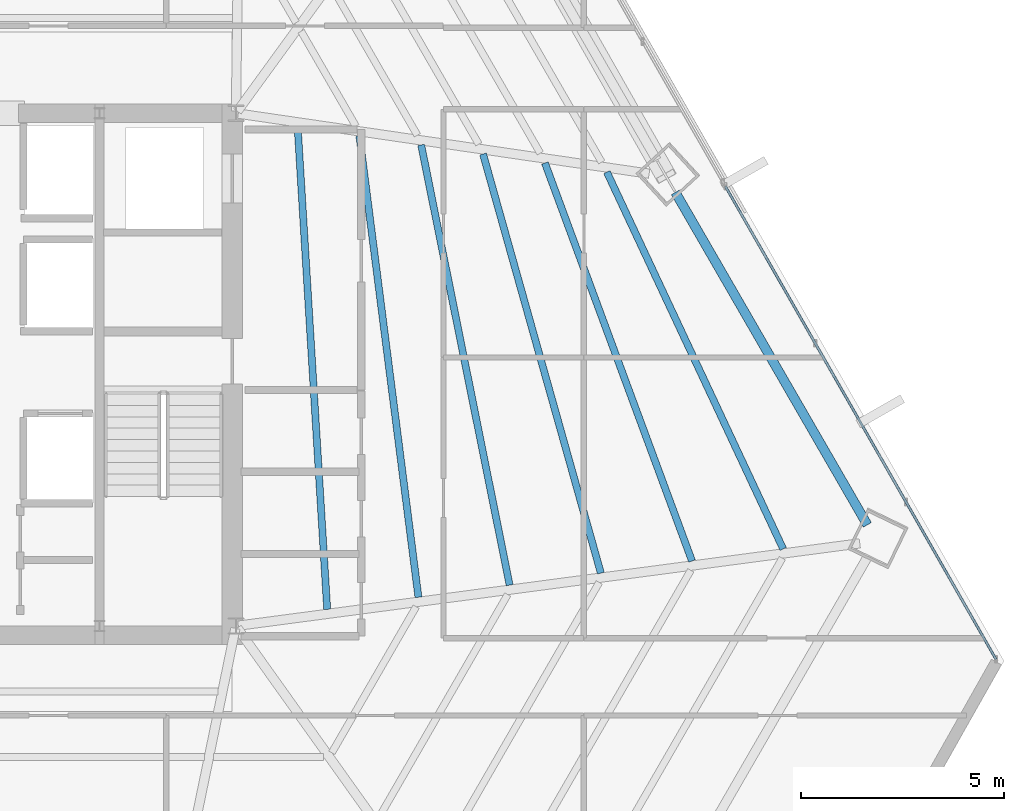
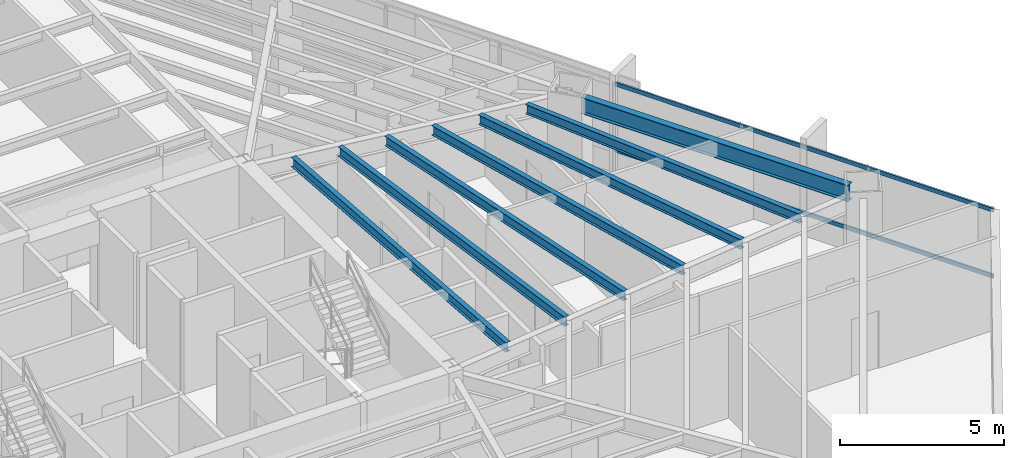
# One storey, part 20 of 35: 7 beams, 2 members, 1 element without a shape of its own.
"""IFC4 building model written with IfcOpenShell, lengths in metres."""

from ifc_helpers import new_model, si_unit, direction, frame, origin, origin_2d, place, context, subcontext, project, spatial, hollow_rectangle, i_section, extrude, source, transform, mapped, material, material_profile, profile_set, type_object, type_shapes, element, aggregate, save


model = new_model("IFC4")

# Units and contexts
model_context = context("Model", 3, precision=1e-05, world=origin(), true_north=direction((0.0, 1.0)))
body_context = subcontext(model_context, "Body", "Model", "MODEL_VIEW")
ifc_project = project(units=[si_unit("LENGTHUNIT", "METRE"), si_unit("AREAUNIT", "SQUARE_METRE"), si_unit("VOLUMEUNIT", "CUBIC_METRE"), si_unit("PLANEANGLEUNIT", "RADIAN"), si_unit("MASSUNIT", "GRAM", prefix="KILO")], contexts=[model_context])

# Site, building, storey
site_placement = place(None, origin())
site = spatial("IfcSite", under=ifc_project, at=site_placement, CompositionType="ELEMENT")
building_placement = place(site_placement, origin())
building = spatial("IfcBuilding", under=site, at=building_placement, Name="Caelisora Broadcast Tower", CompositionType="ELEMENT")
storey_placement = place(building_placement, frame((0.0, 0.0, 90.800048828125)))
storey = spatial("IfcBuildingStorey", under=building, at=storey_placement, Name="L23", CompositionType="ELEMENT", Elevation=90.800048828125)

# Beams
ifc_material_1 = material(Name="Steel Grade 350 (AS/NZS 3679.1)", Category="steel")
ifc_material_profile_1 = material_profile(ifc_material_1, i_section(OverallWidth=0.22900390625, OverallDepth=0.611572265625, WebThickness=0.011962890625, FlangeThickness=0.01953125, at=origin_2d()), Name="Steel Grade 350 (AS/NZS 3679.1)")
ifc_profile_set_1 = profile_set([ifc_material_profile_1], Name="Steel Grade 350 (AS/NZS 3679.1)")
beam_type_1 = type_object("IfcBeamType", Name="PG03", PredefinedType="BEAM", material=ifc_profile_set_1)
shared_shape_1 = source(origin(), body_context, "Body", "SweptSolid", [
    extrude(i_section(OverallWidth=0.22900390625, OverallDepth=0.611572265625, WebThickness=0.011962890625, FlangeThickness=0.01953125, at=origin_2d()), origin(), (0.0, 0.0, 1.0), 9.435302734375),
])
type_shapes(beam_type_1, [shared_shape_1])
beam_1_placement = place(storey_placement, frame((61.017333984375, 19.884521484375, 3.09423828125), z_axis=(-0.499993476249, 0.866029170241, 0.0), x_axis=(-0.866029170241, -0.499993476249, 0.0)))
element("IfcBeam", 1, at=beam_1_placement, inside=storey, type_object=beam_type_1, Name="L23 beam PG03", PredefinedType="BEAM", context=body_context, shape_type="MappedRepresentation", body=[
    mapped(shared_shape_1, transform((0.0, 0.0, 0.0), scale=1.0)),
])
ifc_material_profile_2 = material_profile(ifc_material_1, i_section(OverallWidth=0.172119140625, OverallDepth=0.358642578125, WebThickness=0.008056640625, FlangeThickness=0.012939453125, at=origin_2d()), Name="Steel Grade 350 (AS/NZS 3679.1)")
ifc_profile_set_2 = profile_set([ifc_material_profile_2], Name="Steel Grade 350 (AS/NZS 3679.1)")
beam_type_2 = type_object("IfcBeamType", Name="SB02", PredefinedType="JOIST", material=ifc_profile_set_2)
shared_shape_2 = source(origin(), body_context, "Body", "SweptSolid", [
    extrude(i_section(OverallWidth=0.172119140625, OverallDepth=0.358642578125, WebThickness=0.008056640625, FlangeThickness=0.012939453125, at=origin_2d()), origin(), (0.0, 0.0, 1.0), 11.879150390625),
])
beam_2_placement = place(storey_placement, frame((47.742919921875, 17.80908203125, 3.220703125), z_axis=(-0.06112176344, 0.99813031716, 0.0), x_axis=(-0.99813031716, -0.06112176344, 0.0)))
element("IfcBeam", 2, at=beam_2_placement, inside=storey, type_object=beam_type_2, Name="L23 beam SB02", PredefinedType="JOIST", context=body_context, shape_type="MappedRepresentation", body=[
    mapped(shared_shape_2, transform((0.0, 0.0, 0.0), scale=1.0)),
])
shared_shape_3 = source(origin(), body_context, "Body", "SweptSolid", [
    extrude(i_section(OverallWidth=0.172119140625, OverallDepth=0.358642578125, WebThickness=0.008056640625, FlangeThickness=0.012939453125, at=origin_2d()), origin(), (0.0, 0.0, 1.0), 11.429931640625),
])
beam_3_placement = place(storey_placement, frame((49.985107421875, 18.106201171875, 3.220703125), z_axis=(-0.126897054557, 0.991915892374, 0.0), x_axis=(-0.991915892374, -0.126897054557, 0.0)))
element("IfcBeam", 3, at=beam_3_placement, inside=storey, type_object=beam_type_2, Name="L23 beam SB02", PredefinedType="JOIST", context=body_context, shape_type="MappedRepresentation", body=[
    mapped(shared_shape_3, transform((0.0, 0.0, 0.0), scale=1.0)),
])
shared_shape_4 = source(origin(), body_context, "Body", "SweptSolid", [
    extrude(i_section(OverallWidth=0.172119140625, OverallDepth=0.358642578125, WebThickness=0.008056640625, FlangeThickness=0.012939453125, at=origin_2d()), origin(), (0.0, 0.0, 1.0), 11.03466796875),
])
beam_4_placement = place(storey_placement, frame((52.226806640625, 18.4033203125, 3.220703125), z_axis=(-0.197001055514, 0.980403276273, 0.0), x_axis=(-0.980403276273, -0.197001055514, 0.0)))
element("IfcBeam", 4, at=beam_4_placement, inside=storey, type_object=beam_type_2, Name="L23 beam SB02", PredefinedType="JOIST", context=body_context, shape_type="MappedRepresentation", body=[
    mapped(shared_shape_4, transform((0.0, 0.0, 0.0), scale=1.0)),
])
shared_shape_5 = source(origin(), body_context, "Body", "SweptSolid", [
    extrude(i_section(OverallWidth=0.172119140625, OverallDepth=0.358642578125, WebThickness=0.008056640625, FlangeThickness=0.012939453125, at=origin_2d()), origin(), (0.0, 0.0, 1.0), 10.6982421875),
])
beam_5_placement = place(storey_placement, frame((54.468017578125, 18.7001953125, 3.220703125), z_axis=(-0.27062860166, 0.962683831776, 0.0), x_axis=(-0.962683831776, -0.27062860166, 0.0)))
element("IfcBeam", 5, at=beam_5_placement, inside=storey, type_object=beam_type_2, Name="L23 beam SB02", PredefinedType="JOIST", context=body_context, shape_type="MappedRepresentation", body=[
    mapped(shared_shape_5, transform((0.0, 0.0, 0.0), scale=1.0)),
])
shared_shape_6 = source(origin(), body_context, "Body", "SweptSolid", [
    extrude(i_section(OverallWidth=0.172119140625, OverallDepth=0.358642578125, WebThickness=0.008056640625, FlangeThickness=0.012939453125, at=origin_2d()), origin(), (0.0, 0.0, 1.0), 10.42626953125),
])
beam_6_placement = place(storey_placement, frame((56.70849609375, 18.9970703125, 3.220703125), z_axis=(-0.346698063, 0.937976787086, 0.0), x_axis=(-0.937976787086, -0.346698063, 0.0)))
element("IfcBeam", 6, at=beam_6_placement, inside=storey, type_object=beam_type_2, Name="L23 beam SB02", PredefinedType="JOIST", context=body_context, shape_type="MappedRepresentation", body=[
    mapped(shared_shape_6, transform((0.0, 0.0, 0.0), scale=1.0)),
])
shared_shape_7 = source(origin(), body_context, "Body", "SweptSolid", [
    extrude(i_section(OverallWidth=0.172119140625, OverallDepth=0.358642578125, WebThickness=0.008056640625, FlangeThickness=0.012939453125, at=origin_2d()), origin(), (0.0, 0.0, 1.0), 10.223388671875),
])
type_shapes(beam_type_2, [shared_shape_2, shared_shape_3, shared_shape_4, shared_shape_5, shared_shape_6, shared_shape_7])
beam_7_placement = place(storey_placement, frame((58.9482421875, 19.293701171875, 3.220703125), z_axis=(-0.423735040611, 0.905786186337, 0.0), x_axis=(-0.905786186337, -0.423735040611, 0.0)))
element("IfcBeam", 7, at=beam_7_placement, inside=storey, type_object=beam_type_2, Name="L23 beam SB02", PredefinedType="JOIST", context=body_context, shape_type="MappedRepresentation", body=[
    mapped(shared_shape_7, transform((0.0, 0.0, 0.0), scale=1.0)),
])

# Curtain wall, members
ifc_material_2 = material(Name="Unitised Aluminium and Low-E Glass Curtain Wall", Category="glass")
curtain_wall_type = type_object("IfcCurtainWallType", Name="CW-Z2", PredefinedType="NOTDEFINED", material=ifc_material_2)
curtain_wall_placement = place(storey_placement, origin())
curtain_wall = element("IfcCurtainWall", 8, at=curtain_wall_placement, inside=storey, type_object=curtain_wall_type, Name="L23 curtain wall CW-Z2", PredefinedType="NOTDEFINED")
ifc_material_3 = material(Name="Aluminium 6063-T6 Anodised Terracotta Bronze", Category="aluminium")
ifc_material_profile_3 = material_profile(ifc_material_3, hollow_rectangle(XDim=0.06005859375, YDim=0.14990234375, WallThickness=0.00341796875, at=origin_2d()), Name="Aluminium 6063-T6 Anodised Terracotta Bronze")
ifc_profile_set_3 = profile_set([ifc_material_profile_3], Name="Aluminium 6063-T6 Anodised Terracotta Bronze")
member_type = type_object("IfcMemberType", Name="CWT-02", PredefinedType="USERDEFINED", material=ifc_profile_set_3)
shared_shape_8 = source(origin(), body_context, "Body", "SweptSolid", [
    extrude(hollow_rectangle(XDim=0.06005859375, YDim=0.14990234375, WallThickness=0.00341796875, at=origin_2d()), origin(), (0.0, 0.0, 1.0), 13.39111328125),
])
type_shapes(member_type, [shared_shape_8])
member_1_placement = place(storey_placement, frame((57.527587890625, 28.20703125, 0.849853515625), z_axis=(0.496568858261, -0.867997332372, 0.0), x_axis=(0.867997332372, 0.496568858261, 0.0)))
member_1 = element("IfcMember", 9, at=member_1_placement, type_object=member_type, Name="L23-CW-B03 transom #1", ObjectType="TRANSOM", PredefinedType="USERDEFINED", context=body_context, shape_type="MappedRepresentation", body=[
    mapped(shared_shape_8, transform((0.0, 0.0, 0.0), scale=1.0)),
])
member_2_placement = place(storey_placement, frame((57.527587890625, 28.20703125, 3.320068359375), z_axis=(0.496568858261, -0.867997332372, 0.0), x_axis=(0.867997332372, 0.496568858261, 0.0)))
member_2 = element("IfcMember", 10, at=member_2_placement, type_object=member_type, Name="L23-CW-B03 transom #2", ObjectType="TRANSOM", PredefinedType="USERDEFINED", context=body_context, shape_type="MappedRepresentation", body=[
    mapped(shared_shape_8, transform((0.0, 0.0, 0.0), scale=1.0)),
])
aggregate(curtain_wall, [member_1, member_2])

save(model, "model.ifc")
